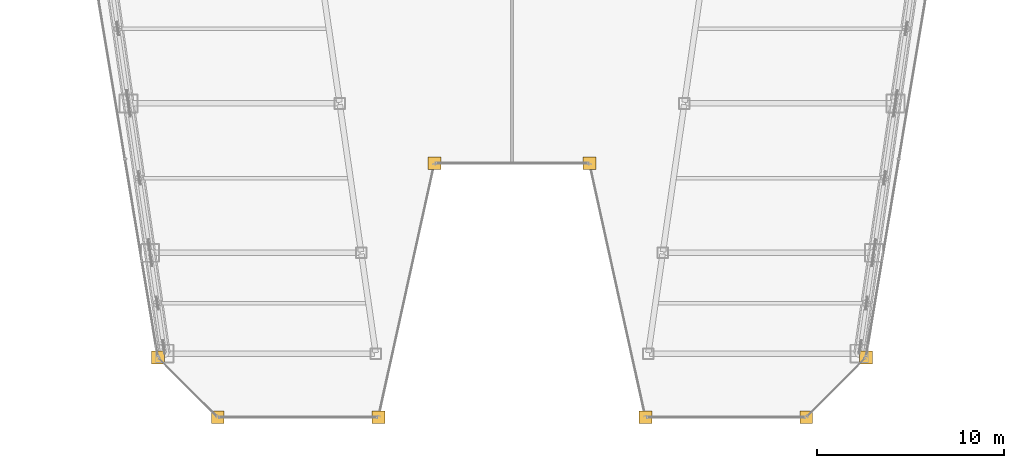
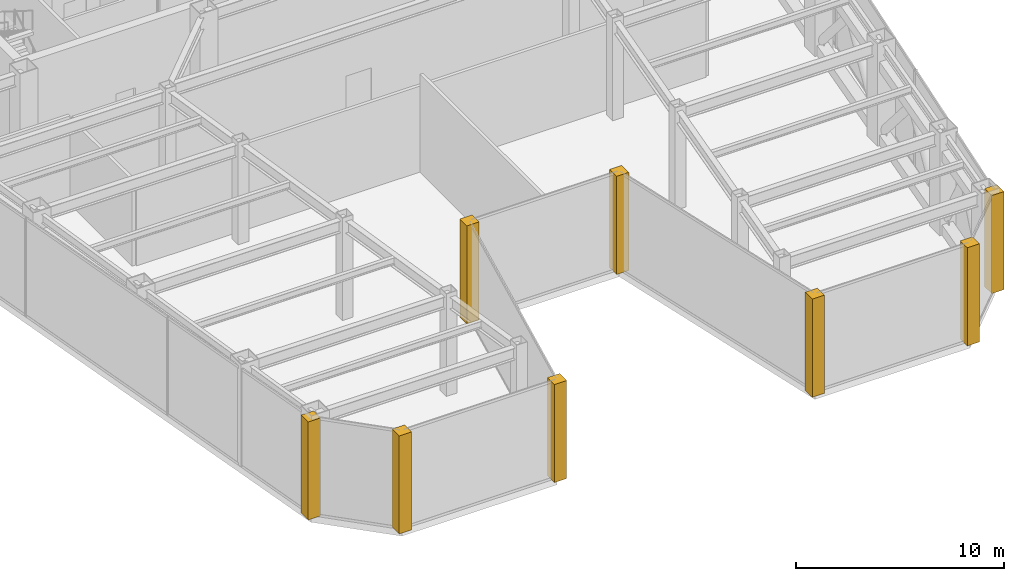
# One storey, part 28 of 30: 8 coverings.
"""IFC4 building model written with IfcOpenShell, lengths in metres."""

from ifc_helpers import new_model, si_unit, direction, frame, origin, place, context, subcontext, project, spatial, polyline, outline, extrude, material, layer, layer_set, type_object, element, save


model = new_model("IFC4")

# Units and contexts
model_context = context("Model", 3, precision=1e-05, world=origin(), true_north=direction((0.0, 1.0)))
body_context = subcontext(model_context, "Body", "Model", "MODEL_VIEW")
ifc_project = project(units=[si_unit("LENGTHUNIT", "METRE"), si_unit("AREAUNIT", "SQUARE_METRE"), si_unit("VOLUMEUNIT", "CUBIC_METRE"), si_unit("PLANEANGLEUNIT", "RADIAN"), si_unit("MASSUNIT", "GRAM", prefix="KILO")], contexts=[model_context])

# Site, building, storey
site_placement = place(None, origin())
site = spatial("IfcSite", under=ifc_project, at=site_placement, CompositionType="ELEMENT")
building_placement = place(site_placement, origin())
building = spatial("IfcBuilding", under=site, at=building_placement, Name="Saevonmaru Cultural Tower", CompositionType="ELEMENT")
storey_placement = place(building_placement, frame((0.0, 0.0, 123.60009765625)))
storey = spatial("IfcBuildingStorey", under=building, at=storey_placement, Name="L26", CompositionType="ELEMENT", Elevation=123.60009765625)

# Coverings
ifc_material = material(Name="Satin Bronze Anodised Aluminium", Category="aluminium")
ifc_layer = layer(ifc_material, 0.679931640625, Name="Satin Bronze Anodised Aluminium")
ifc_layer_set = layer_set([ifc_layer], Name="Satin Bronze Anodised Aluminium")
covering_type = type_object("IfcCoveringType", Name="CV-CORNER-CLAD", PredefinedType="CLADDING", material=ifc_layer_set)
covering_1_placement = place(storey_placement, origin())
element("IfcCovering", 1, at=covering_1_placement, inside=storey, type_object=covering_type, Name="L26 Tower Bronze Corner Cladding Pier 1", PredefinedType="CLADDING", context=body_context, shape_type="SweptSolid", body=[
    extrude(outline(polyline([(10.708984375, 10.06005859375), (11.388916015625, 10.06005859375), (11.388916015625, 10.739990234375), (10.708984375, 10.739990234375), (10.708984375, 10.06005859375)])), origin(), (0.0, 0.0, 1.0), 5.75),
])
covering_2_placement = place(storey_placement, origin())
element("IfcCovering", 2, at=covering_2_placement, inside=storey, type_object=covering_type, Name="L26 Tower Bronze Corner Cladding Pier 2", PredefinedType="CLADDING", context=body_context, shape_type="SweptSolid", body=[
    extrude(outline(polyline([(13.908935546875, 6.860107421875), (14.589111328125, 6.860107421875), (14.589111328125, 7.5400390625), (13.908935546875, 7.5400390625), (13.908935546875, 6.860107421875)])), origin(), (0.0, 0.0, 1.0), 5.75),
])
covering_3_placement = place(storey_placement, origin())
element("IfcCovering", 3, at=covering_3_placement, inside=storey, type_object=covering_type, Name="L26 Tower Bronze Corner Cladding Pier 3", PredefinedType="CLADDING", context=body_context, shape_type="SweptSolid", body=[
    extrude(outline(polyline([(22.509033203125, 6.860107421875), (23.18896484375, 6.860107421875), (23.18896484375, 7.5400390625), (22.509033203125, 7.5400390625), (22.509033203125, 6.860107421875)])), origin(), (0.0, 0.0, 1.0), 5.75),
])
covering_4_placement = place(storey_placement, origin())
element("IfcCovering", 4, at=covering_4_placement, inside=storey, type_object=covering_type, Name="L26 Tower Bronze Corner Cladding Pier 4", PredefinedType="CLADDING", context=body_context, shape_type="SweptSolid", body=[
    extrude(outline(polyline([(25.509033203125, 20.4599609375), (26.18896484375, 20.4599609375), (26.18896484375, 21.139892578125), (25.509033203125, 21.139892578125), (25.509033203125, 20.4599609375)])), origin(), (0.0, 0.0, 1.0), 5.75),
])
covering_5_placement = place(storey_placement, origin())
element("IfcCovering", 5, at=covering_5_placement, inside=storey, type_object=covering_type, Name="L26 Tower Bronze Corner Cladding Pier 5", PredefinedType="CLADDING", context=body_context, shape_type="SweptSolid", body=[
    extrude(outline(polyline([(33.81103515625, 20.4599609375), (34.490966796875, 20.4599609375), (34.490966796875, 21.139892578125), (33.81103515625, 21.139892578125), (33.81103515625, 20.4599609375)])), origin(), (0.0, 0.0, 1.0), 5.75),
])
covering_6_placement = place(storey_placement, origin())
element("IfcCovering", 6, at=covering_6_placement, inside=storey, type_object=covering_type, Name="L26 Tower Bronze Corner Cladding Pier 6", PredefinedType="CLADDING", context=body_context, shape_type="SweptSolid", body=[
    extrude(outline(polyline([(36.81103515625, 6.860107421875), (37.490966796875, 6.860107421875), (37.490966796875, 7.5400390625), (36.81103515625, 7.5400390625), (36.81103515625, 6.860107421875)])), origin(), (0.0, 0.0, 1.0), 5.75),
])
covering_7_placement = place(storey_placement, origin())
element("IfcCovering", 7, at=covering_7_placement, inside=storey, type_object=covering_type, Name="L26 Tower Bronze Corner Cladding Pier 7", PredefinedType="CLADDING", context=body_context, shape_type="SweptSolid", body=[
    extrude(outline(polyline([(45.410888671875, 6.860107421875), (46.091064453125, 6.860107421875), (46.091064453125, 7.5400390625), (45.410888671875, 7.5400390625), (45.410888671875, 6.860107421875)])), origin(), (0.0, 0.0, 1.0), 5.75),
])
covering_8_placement = place(storey_placement, origin())
element("IfcCovering", 8, at=covering_8_placement, inside=storey, type_object=covering_type, Name="L26 Tower Bronze Corner Cladding Pier 8", PredefinedType="CLADDING", context=body_context, shape_type="SweptSolid", body=[
    extrude(outline(polyline([(48.611083984375, 10.06005859375), (49.291015625, 10.06005859375), (49.291015625, 10.739990234375), (48.611083984375, 10.739990234375), (48.611083984375, 10.06005859375)])), origin(), (0.0, 0.0, 1.0), 5.75),
])

save(model, "model.ifc")
